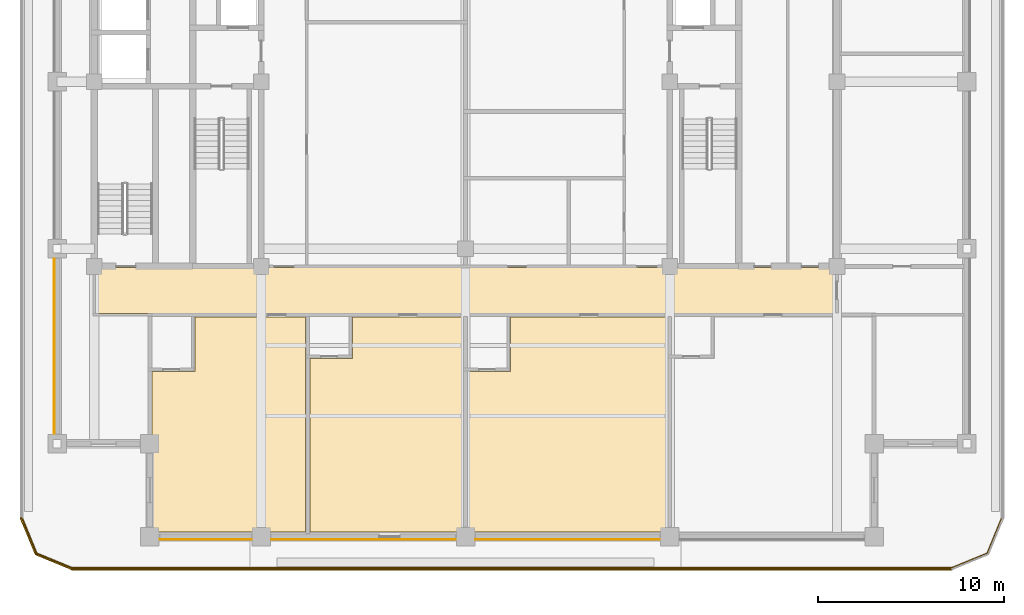
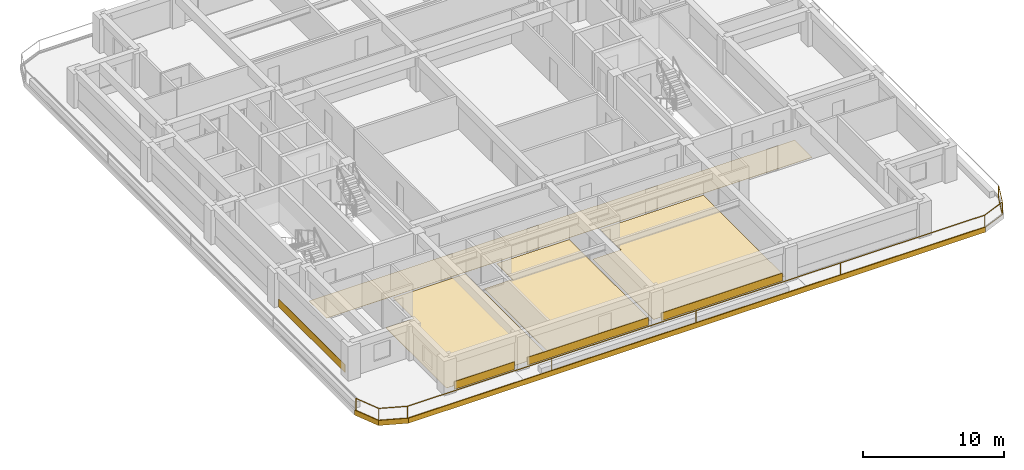
# One storey, part 7 of 13: 11 coverings, 1 railing.
"""IFC4 building model written with IfcOpenShell, lengths in metres."""

from ifc_helpers import new_model, si_unit, direction, frame, frame_2d, origin, origin_2d, place, context, subcontext, project, spatial, polyline, rectangle, outline, extrude, material, layer, layer_set, type_object, element, save


model = new_model("IFC4")

# Units and contexts
model_context = context("Model", 3, precision=1e-05, world=origin(), true_north=direction((0.0, 1.0)))
body_context = subcontext(model_context, "Body", "Model", "MODEL_VIEW")
ifc_project = project(units=[si_unit("LENGTHUNIT", "METRE"), si_unit("AREAUNIT", "SQUARE_METRE"), si_unit("VOLUMEUNIT", "CUBIC_METRE"), si_unit("PLANEANGLEUNIT", "RADIAN"), si_unit("MASSUNIT", "GRAM", prefix="KILO")], contexts=[model_context])

# Site, building, storey
site_placement = place(None, origin())
site = spatial("IfcSite", under=ifc_project, at=site_placement, CompositionType="ELEMENT")
building_placement = place(site_placement, origin())
building = spatial("IfcBuilding", under=site, at=building_placement, Name="Zulmaris Gate Convention Tower", CompositionType="ELEMENT")
storey_placement = place(building_placement, frame((0.0, 0.0, 183.059814453125)))
storey = spatial("IfcBuildingStorey", under=building, at=storey_placement, Name="L47", CompositionType="ELEMENT", Elevation=183.059814453125)

# Coverings
ifc_material_1 = material(Name="Precast concrete C40/50", Category="concrete")
ifc_layer_1 = layer(ifc_material_1, 0.0400390625, Name="Precast concrete C40/50")
ifc_layer_set_1 = layer_set([ifc_layer_1], Name="Precast concrete C40/50")
covering_type_1 = type_object("IfcCoveringType", Name="CLAD-SPANDREL-PRECAST", PredefinedType="CLADDING", material=ifc_layer_set_1)
covering_1_placement = place(storey_placement, frame((-16.469970703125, -24.64990234375, 0.0), z_axis=(0.0, 0.0, 1.0), x_axis=(1.0, 0.0, 0.0)))
element("IfcCovering", 1, at=covering_1_placement, inside=storey, type_object=covering_type_1, Name="CLD-L47-S-0_0", PredefinedType="CLADDING", context=body_context, shape_type="SweptSolid", body=[
    extrude(rectangle(XDim=4.93994140625, YDim=0.0400390625, at=frame_2d((2.469970703125, 0.0))), origin(), (0.0, 0.0, 1.0), 0.679931640625),
])
for number, where, z_axis, x_axis, name in (
    (2, (-10.469970703125, -24.64990234375, 0.0), (0.0, 0.0, 1.0), (1.0, 0.0, 0.0), "CLD-L47-S-1_0"),
    (3, (0.530029296875, -24.64990234375, 0.0), (0.0, 0.0, 1.0), (1.0, 0.0, 0.0), "CLD-L47-S-2_0"),
):
    element("IfcCovering", number, at=place(storey_placement, frame(where, z_axis=z_axis, x_axis=x_axis)), inside=storey, type_object=covering_type_1, Name=name, PredefinedType="CLADDING", context=body_context, shape_type="SweptSolid", body=[
        extrude(rectangle(XDim=9.93994140625, YDim=0.0400390625, at=frame_2d((4.969970703125, 0.0))), origin(), (0.0, 0.0, 1.0), 0.679931640625),
    ])
covering_2_placement = place(storey_placement, frame((-22.14990234375, -9.530029296875, 0.0), z_axis=(0.0, 0.0, 1.0), x_axis=(0.0, -1.0, 0.0)))
element("IfcCovering", 4, at=covering_2_placement, inside=storey, type_object=covering_type_1, Name="CLD-L47-W-0_0", PredefinedType="CLADDING", context=body_context, shape_type="SweptSolid", body=[
    extrude(rectangle(XDim=9.43994140625, YDim=0.0400390625, at=frame_2d((4.719970703125, 0.0))), origin(), (0.0, 0.0, 1.0), 0.679931640625),
])
ifc_material_2 = material(Name="White Glazed Architectural Precast Concrete C40/50", Category="concrete")
ifc_layer_2 = layer(ifc_material_2, 0.080078125, Name="White Glazed Architectural Precast Concrete C40/50")
ifc_layer_set_2 = layer_set([ifc_layer_2], Name="White Glazed Architectural Precast Concrete C40/50")
covering_type_2 = type_object("IfcCoveringType", Name="CLAD-TRAY-FASCIA", PredefinedType="CLADDING", material=ifc_layer_set_2)
covering_3_placement = place(storey_placement, frame((-23.962890625, -23.484619140625, -0.2900390625), z_axis=(0.0, 0.0, 1.0), x_axis=(0.382656984709, -0.923890487046, 0.0)))
element("IfcCovering", 5, at=covering_3_placement, inside=storey, type_object=covering_type_2, Name="FSC-L47-TR-00", PredefinedType="CLADDING", context=body_context, shape_type="SweptSolid", body=[
    extrude(rectangle(XDim=2.14306640625, YDim=0.080078125, at=frame_2d((1.071533203125, 0.0))), origin(), (0.0, 0.0, 1.0), 0.43994140625),
])
covering_4_placement = place(storey_placement, frame((-23.16455078125, -25.44287109375, -0.2900390625), z_axis=(0.0, 0.0, 1.0), x_axis=(0.923873803533, -0.382697263049, 0.0)))
element("IfcCovering", 6, at=covering_4_placement, inside=storey, type_object=covering_type_2, Name="FSC-L47-TR-01", PredefinedType="CLADDING", context=body_context, shape_type="SweptSolid", body=[
    extrude(rectangle(XDim=2.142822265625, YDim=0.080078125, at=frame_2d((1.0712890625, 0.0))), origin(), (0.0, 0.0, 1.0), 0.43994140625),
])
covering_5_placement = place(storey_placement, frame((-21.199951171875, -26.260009765625, -0.2900390625), z_axis=(0.0, 0.0, 1.0), x_axis=(1.0, 0.0, 0.0)))
element("IfcCovering", 7, at=covering_5_placement, inside=storey, type_object=covering_type_2, Name="FSC-L47-TR-02", PredefinedType="CLADDING", context=body_context, shape_type="SweptSolid", body=[
    extrude(rectangle(XDim=47.39990234375, YDim=0.080078125, at=frame_2d((23.699951171875, 0.0))), origin(), (0.0, 0.0, 1.0), 0.43994140625),
])
ifc_material_3 = material(Name="Woven Acoustic Wool Carpet Tile")
ifc_layer_3 = layer(ifc_material_3, 0.02001953125, Name="Woven Acoustic Wool Carpet Tile")
ifc_layer_set_3 = layer_set([ifc_layer_3], Name="Woven Acoustic Wool Carpet Tile")
covering_type_3 = type_object("IfcCoveringType", Name="FLR-CARPET-12", PredefinedType="FLOORING", material=ifc_layer_set_3)
covering_6_placement = place(storey_placement, origin())
element("IfcCovering", 8, at=covering_6_placement, inside=storey, type_object=covering_type_3, Name="FLR-L47-R29", PredefinedType="FLOORING", context=body_context, shape_type="SweptSolid", body=[
    extrude(outline(polyline([(-19.93994140625, -12.489990234375), (19.93994140625, -12.489990234375), (19.93994140625, -10.010009765625), (-19.93994140625, -10.010009765625), (-19.93994140625, -12.489990234375)])), origin(), (0.0, 0.0, 1.0), 0.02001953125),
])
ifc_material_4 = material(Name="Engineered Teak Parquet Flooring")
ifc_layer_4 = layer(ifc_material_4, 0.02001953125, Name="Engineered Teak Parquet Flooring")
ifc_layer_set_4 = layer_set([ifc_layer_4], Name="Engineered Teak Parquet Flooring")
covering_type_4 = type_object("IfcCoveringType", Name="FLR-TIMBER-18", PredefinedType="FLOORING", material=ifc_layer_set_4)
covering_7_placement = place(storey_placement, origin())
element("IfcCovering", 9, at=covering_7_placement, inside=storey, type_object=covering_type_4, Name="FLR-L47-R40", PredefinedType="FLOORING", context=body_context, shape_type="SweptSolid", body=[
    extrude(outline(polyline([(-16.8798828125, -24.260009765625), (-8.6201171875, -24.260009765625), (-8.6201171875, -12.669921875), (-14.580078125, -12.669921875), (-14.580078125, -15.6201171875), (-16.8798828125, -15.6201171875), (-16.8798828125, -24.260009765625)])), origin(), (0.0, 0.0, 1.0), 0.02001953125),
])
covering_8_placement = place(storey_placement, origin())
element("IfcCovering", 10, at=covering_8_placement, inside=storey, type_object=covering_type_4, Name="FLR-L47-R42", PredefinedType="FLOORING", context=body_context, shape_type="SweptSolid", body=[
    extrude(outline(polyline([(-8.3798828125, -24.260009765625), (-0.1201171875, -24.260009765625), (-0.1201171875, -12.669921875), (-6.080078125, -12.669921875), (-6.080078125, -14.919921875), (-8.3798828125, -14.919921875), (-8.3798828125, -24.260009765625)])), origin(), (0.0, 0.0, 1.0), 0.02001953125),
])
covering_9_placement = place(storey_placement, origin())
element("IfcCovering", 11, at=covering_9_placement, inside=storey, type_object=covering_type_4, Name="FLR-L47-R44", PredefinedType="FLOORING", context=body_context, shape_type="SweptSolid", body=[
    extrude(outline(polyline([(0.1201171875, -24.260009765625), (10.8798828125, -24.260009765625), (10.8798828125, -12.669921875), (2.419921875, -12.669921875), (2.419921875, -15.6201171875), (0.1201171875, -15.6201171875), (0.1201171875, -24.260009765625)])), origin(), (0.0, 0.0, 1.0), 0.02001953125),
])

# Railing
ifc_material_5 = material(Name="Laminated Glass and Stainless Steel", Category="steel")
railing_type = type_object("IfcRailingType", Name="RL-BALC-1150", PredefinedType="BALUSTRADE", material=ifc_material_5)
railing_placement = place(storey_placement, frame((-23.8798828125, -23.5, -0.010009765625)))
element("IfcRailing", 12, at=railing_placement, inside=storey, type_object=railing_type, Name="RL-L47-BALC-S", PredefinedType="BALUSTRADE", context=body_context, shape_type="SweptSolid", body=[
    extrude(rectangle(XDim=0.048095703125, YDim=0.048095703125, at=origin_2d()), frame((0.0, 0.0, 1.1259765625), z_axis=(0.382670664694, -0.92388482095, 0.0), x_axis=(0.92388482095, 0.382670664694, 0.0)), (0.0, 0.0, 1.0), 2.051025390625),
    extrude(rectangle(XDim=0.048095703125, YDim=0.048095703125, at=origin_2d()), frame((0.0, 0.0, 0.02392578125), z_axis=(0.382670664694, -0.92388482095, 0.0), x_axis=(0.92388482095, 0.382670664694, 0.0)), (0.0, 0.0, 1.0), 2.051025390625),
    extrude(rectangle(XDim=0.048095703125, YDim=0.048095703125, at=origin_2d()), frame((0.784912109375, -1.89501953125, 1.1259765625), z_axis=(0.92388482095, -0.382670664694, 0.0), x_axis=(0.382670664694, 0.92388482095, 0.0)), (0.0, 0.0, 1.0), 2.051025390625),
    extrude(rectangle(XDim=0.048095703125, YDim=0.048095703125, at=origin_2d()), frame((0.784912109375, -1.89501953125, 0.02392578125), z_axis=(0.92388482095, -0.382670664694, 0.0), x_axis=(0.382670664694, 0.92388482095, 0.0)), (0.0, 0.0, 1.0), 2.051025390625),
    extrude(rectangle(XDim=0.048095703125, YDim=0.048095703125, at=origin_2d()), frame((2.679931640625, -2.679931640625, 1.1259765625), z_axis=(1.0, 0.0, 0.0), x_axis=(0.0, 1.0, 0.0)), (0.0, 0.0, 1.0), 47.39990234375),
    extrude(rectangle(XDim=0.048095703125, YDim=0.048095703125, at=origin_2d()), frame((2.679931640625, -2.679931640625, 0.02392578125), z_axis=(1.0, 0.0, 0.0), x_axis=(0.0, 1.0, 0.0)), (0.0, 0.0, 1.0), 47.39990234375),
    extrude(rectangle(XDim=0.048095703125, YDim=0.048095703125, at=origin_2d()), frame((50.079833984375, -2.679931640625, 1.1259765625), z_axis=(0.92388482095, 0.382670664694, 0.0), x_axis=(-0.382670664694, 0.92388482095, 0.0)), (0.0, 0.0, 1.0), 2.051025390625),
    extrude(rectangle(XDim=0.048095703125, YDim=0.048095703125, at=origin_2d()), frame((50.079833984375, -2.679931640625, 0.02392578125), z_axis=(0.92388482095, 0.382670664694, 0.0), x_axis=(-0.382670664694, 0.92388482095, 0.0)), (0.0, 0.0, 1.0), 2.051025390625),
    extrude(rectangle(XDim=0.048095703125, YDim=0.048095703125, at=origin_2d()), frame((51.974853515625, -1.89501953125, 1.1259765625), z_axis=(0.382670664694, 0.92388482095, 0.0), x_axis=(-0.92388482095, 0.382670664694, 0.0)), (0.0, 0.0, 1.0), 2.051025390625),
    extrude(rectangle(XDim=0.048095703125, YDim=0.048095703125, at=origin_2d()), frame((51.974853515625, -1.89501953125, 0.02392578125), z_axis=(0.382670664694, 0.92388482095, 0.0), x_axis=(-0.92388482095, 0.382670664694, 0.0)), (0.0, 0.0, 1.0), 2.051025390625),
    extrude(rectangle(XDim=0.0419921875, YDim=0.0419921875, at=origin_2d()), origin(), (0.0, 0.0, 1.0), 1.101806640625),
    extrude(rectangle(XDim=0.0419921875, YDim=0.0419921875, at=origin_2d()), frame((0.784912109375, -1.89501953125, 0.0)), (0.0, 0.0, 1.0), 1.101806640625),
    extrude(rectangle(XDim=0.0419921875, YDim=0.0419921875, at=origin_2d()), frame((2.679931640625, -2.679931640625, 0.0)), (0.0, 0.0, 1.0), 1.101806640625),
    extrude(rectangle(XDim=0.0419921875, YDim=0.0419921875, at=origin_2d()), frame((14.52978515625, -2.679931640625, 0.0)), (0.0, 0.0, 1.0), 1.101806640625),
    extrude(rectangle(XDim=0.0419921875, YDim=0.0419921875, at=origin_2d()), frame((26.3798828125, -2.679931640625, 0.0)), (0.0, 0.0, 1.0), 1.101806640625),
    extrude(rectangle(XDim=0.0419921875, YDim=0.0419921875, at=origin_2d()), frame((38.22998046875, -2.679931640625, 0.0)), (0.0, 0.0, 1.0), 1.101806640625),
    extrude(rectangle(XDim=0.0419921875, YDim=0.0419921875, at=origin_2d()), frame((50.079833984375, -2.679931640625, 0.0)), (0.0, 0.0, 1.0), 1.101806640625),
    extrude(rectangle(XDim=0.0419921875, YDim=0.0419921875, at=origin_2d()), frame((51.974853515625, -1.89501953125, 0.0)), (0.0, 0.0, 1.0), 1.101806640625),
    extrude(rectangle(XDim=0.0419921875, YDim=0.0419921875, at=origin_2d()), frame((52.759765625, 0.0, 0.0)), (0.0, 0.0, 1.0), 1.101806640625),
])

save(model, "model.ifc")
